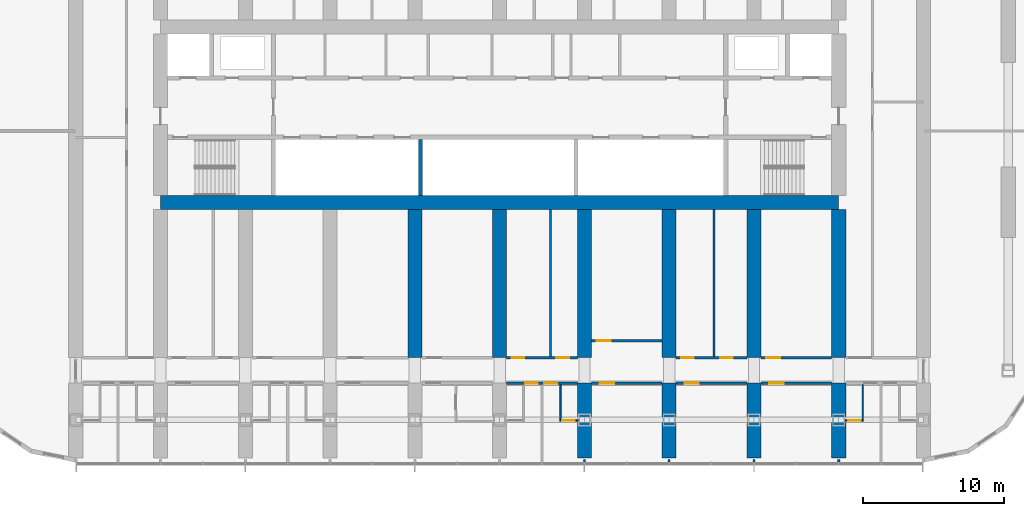
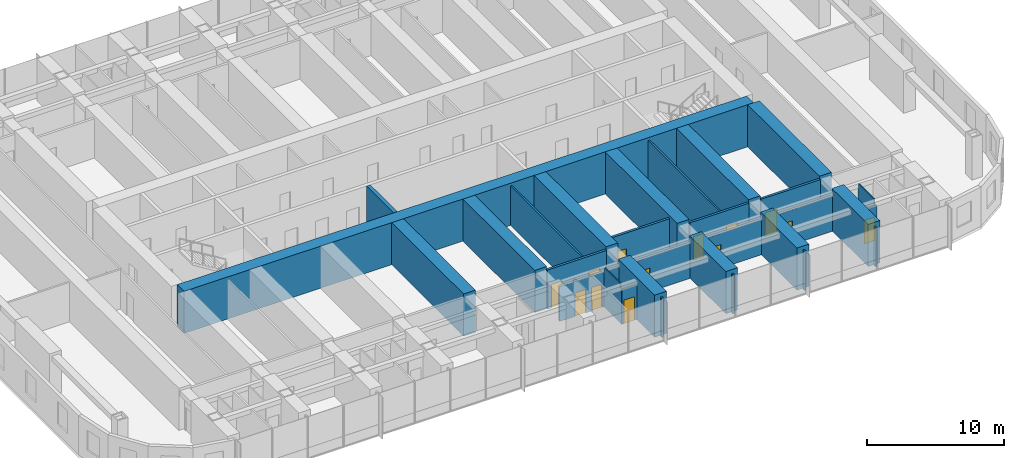
# One storey, part 12 of 23: 30 walls, 13 doors, 13 openings.
"""IFC4 building model written with IfcOpenShell, lengths in metres."""

from ifc_helpers import new_model, si_unit, direction, frame, frame_2d, origin, place, context, subcontext, project, spatial, polyline, rectangle, outline, extrude, material, layer, layer_set, type_object, element, fill, save


model = new_model("IFC4")

# Units and contexts
model_context = context("Model", 3, precision=1e-05, world=origin(), true_north=direction((0.0, 1.0)))
body_context = subcontext(model_context, "Body", "Model", "MODEL_VIEW")
ifc_project = project(units=[si_unit("LENGTHUNIT", "METRE"), si_unit("AREAUNIT", "SQUARE_METRE"), si_unit("VOLUMEUNIT", "CUBIC_METRE"), si_unit("PLANEANGLEUNIT", "RADIAN"), si_unit("MASSUNIT", "GRAM", prefix="KILO")], contexts=[model_context])

# Site, building, storey
site_placement = place(None, origin())
site = spatial("IfcSite", under=ifc_project, at=site_placement, CompositionType="ELEMENT")
building_placement = place(site_placement, origin())
building = spatial("IfcBuilding", under=site, at=building_placement, Name="Orbita Commons", CompositionType="ELEMENT")
storey_placement = place(building_placement, frame((0.0, 0.0, 61.449951171875)))
storey = spatial("IfcBuildingStorey", under=building, at=storey_placement, Name="L15", CompositionType="ELEMENT", Elevation=61.449951171875)

# Walls
ifc_material_1 = material(Name="Concrete C50/60", Category="concrete")
ifc_layer_1 = layer(ifc_material_1, 0.300048828125)
ifc_layer_set_1 = layer_set([ifc_layer_1], Name="Concrete C50/60")
wall_type_1 = type_object("IfcWallType", Name="Core inner wall 300 C50/60", PredefinedType="SHEAR", material=ifc_layer_set_1)
wall_1_placement = place(storey_placement, frame((36.39990234375, 26.300048828125, 0.0), z_axis=(0.0, 0.0, 1.0), x_axis=(0.0, 1.0, 0.0)))
element("IfcWall", 1, at=wall_1_placement, inside=storey, type_object=wall_type_1, Name="Hoistway division wall L15", PredefinedType="SHEAR", context=body_context, shape_type="SweptSolid", body=[
    extrude(rectangle(XDim=3.949951171875, YDim=0.300048828125, at=frame_2d((1.97509765625, 0.0))), origin(), (0.0, 0.0, 1.0), 3.75),
])
ifc_material_2 = material(Name="Concrete C50/60", Category="concrete")
ifc_layer_2 = layer(ifc_material_2, 1.0)
ifc_layer_set_2 = layer_set([ifc_layer_2], Name="Concrete C50/60")
wall_type_2 = type_object("IfcWallType", Name="Core wall 1000 C50/60", PredefinedType="SHEAR", material=ifc_layer_set_2)
wall_2_placement = place(storey_placement, frame((18.0, 25.800048828125, 0.0), z_axis=(0.0, 0.0, 1.0), x_axis=(1.0, 0.0, 0.0)))
element("IfcWall", 2, at=wall_2_placement, inside=storey, type_object=wall_type_2, Name="Core spine wall south L15", PredefinedType="SHEAR", context=body_context, shape_type="SweptSolid", body=[
    extrude(rectangle(XDim=48.0, YDim=1.0, at=frame_2d((24.0, 0.0))), origin(), (0.0, 0.0, 1.0), 3.75),
])

# Wall, openings, doors
ifc_material_3 = material(Name="Concrete blockwork", Category="masonry")
ifc_layer_3 = layer(ifc_material_3, 0.199951171875)
ifc_layer_set_3 = layer_set([ifc_layer_3], Name="Concrete blockwork")
wall_type_3 = type_object("IfcWallType", Name="Corridor wall 200 blockwork", PredefinedType="SOLIDWALL", material=ifc_layer_set_3)
wall_3_placement = place(storey_placement, frame((42.5, 13.0, 0.0), z_axis=(0.0, 0.0, 1.0), x_axis=(1.0, 0.0, 0.0)))
wall_3 = element("IfcWall", 3, at=wall_3_placement, inside=storey, type_object=wall_type_3, Name="Corridor wall 200 blockwork L15", PredefinedType="SOLIDWALL", context=body_context, shape_type="SweptSolid", body=[
    extrude(outline(polyline([(0.0, 0.0), (5.0, 0.0), (5.0, 3.10009765625), (0.0, 3.10009765625), (0.0, 0.0)])), frame((0.0, 0.10009765625, 0.0), z_axis=(0.0, -1.0, 0.0), x_axis=(1.0, 0.0, 0.0)), (0.0, 0.0, 1.0), 0.199951171875),
])
opening_1_placement = place(wall_3_placement, frame((1.300048828125, 0.0, 0.0)))
opening_1 = element("IfcOpeningElement", 4, at=opening_1_placement, cuts=wall_3, Name="Opening D11", PredefinedType="OPENING", context=body_context, shape_type="SweptSolid", body=[
    extrude(rectangle(XDim=0.89990234375, YDim=2.10009765625, at=frame_2d((0.449951171875, 1.050048828125))), frame((0.0, 0.10986328125, 0.0), z_axis=(0.0, -1.0, 0.0), x_axis=(1.0, 0.0, 0.0)), (0.0, 0.0, 1.0), 0.219970703125),
])
opening_2_placement = place(wall_3_placement, frame((2.675048828125, 0.0, 0.0)))
opening_2 = element("IfcOpeningElement", 5, at=opening_2_placement, cuts=wall_3, Name="Opening D11", PredefinedType="OPENING", context=body_context, shape_type="SweptSolid", body=[
    extrude(rectangle(XDim=0.89990234375, YDim=2.10009765625, at=frame_2d((0.449951171875, 1.050048828125))), frame((0.0, 0.10986328125, 0.0), z_axis=(0.0, -1.0, 0.0), x_axis=(1.0, 0.0, 0.0)), (0.0, 0.0, 1.0), 0.219970703125),
])
ifc_material_4 = material(Name="Steel-faced fire door leaf", Category="steel")
door_type_1 = type_object("IfcDoorType", Name="Corridor door 20 min 900x2100", OperationType="SINGLE_SWING_LEFT", PredefinedType="DOOR", material=ifc_material_4)
door_1_placement = place(opening_1_placement, origin())
door_1 = element("IfcDoor", 6, at=door_1_placement, inside=storey, type_object=door_type_1, Name="House bedroom L15-S10 door", OperationType="SINGLE_SWING_LEFT", OverallHeight=2.10009765625, OverallWidth=0.89990234375, PredefinedType="DOOR", context=body_context, shape_type="SweptSolid", body=[
    extrude(rectangle(XDim=0.89990234375, YDim=2.10009765625, at=frame_2d((0.449951171875, 1.050048828125))), frame((0.0, 0.02490234375, 0.0), z_axis=(0.0, -1.0, 0.0), x_axis=(1.0, 0.0, 0.0)), (0.0, 0.0, 1.0), 0.050048828125),
])
fill(opening_1, door_1)
door_2_placement = place(opening_2_placement, origin())
door_2 = element("IfcDoor", 7, at=door_2_placement, inside=storey, type_object=door_type_1, Name="House bedroom L15-S11 door", OperationType="SINGLE_SWING_LEFT", OverallHeight=2.10009765625, OverallWidth=0.89990234375, PredefinedType="DOOR", context=body_context, shape_type="SweptSolid", body=[
    extrude(rectangle(XDim=0.89990234375, YDim=2.10009765625, at=frame_2d((0.449951171875, 1.050048828125))), frame((0.0, 0.02490234375, 0.0), z_axis=(0.0, -1.0, 0.0), x_axis=(1.0, 0.0, 0.0)), (0.0, 0.0, 1.0), 0.050048828125),
])
fill(opening_2, door_2)

# Wall, opening, door
wall_4_placement = place(storey_placement, frame((48.5, 13.0, 0.0), z_axis=(0.0, 0.0, 1.0), x_axis=(1.0, 0.0, 0.0)))
wall_4 = element("IfcWall", 8, at=wall_4_placement, inside=storey, type_object=wall_type_3, Name="Corridor wall 200 blockwork L15", PredefinedType="SOLIDWALL", context=body_context, shape_type="SweptSolid", body=[
    extrude(outline(polyline([(0.0, 0.0), (5.0, 0.0), (5.0, 3.10009765625), (0.0, 3.10009765625), (0.0, 0.0)])), frame((0.0, 0.10009765625, 0.0), z_axis=(0.0, -1.0, 0.0), x_axis=(1.0, 0.0, 0.0)), (0.0, 0.0, 1.0), 0.199951171875),
])
opening_3_placement = place(wall_4_placement, frame((0.60009765625, 0.0, 0.0)))
opening_3 = element("IfcOpeningElement", 9, at=opening_3_placement, cuts=wall_4, Name="Opening D06", PredefinedType="OPENING", context=body_context, shape_type="SweptSolid", body=[
    extrude(rectangle(XDim=1.0, YDim=2.10009765625, at=frame_2d((0.5, 1.050048828125))), frame((0.0, 0.10986328125, 0.0), z_axis=(0.0, -1.0, 0.0), x_axis=(1.0, 0.0, 0.0)), (0.0, 0.0, 1.0), 0.219970703125),
])
ifc_material_5 = material(Name="Steel-faced fire door leaf", Category="steel")
door_type_2 = type_object("IfcDoorType", Name="Corridor door 20 min 1000x2100", OperationType="SINGLE_SWING_LEFT", PredefinedType="DOOR", material=ifc_material_5)
door_3_placement = place(opening_3_placement, origin())
door_3 = element("IfcDoor", 10, at=door_3_placement, inside=storey, type_object=door_type_2, Name="House common room L15-S12 door", OperationType="SINGLE_SWING_LEFT", OverallHeight=2.10009765625, OverallWidth=1.0, PredefinedType="DOOR", context=body_context, shape_type="SweptSolid", body=[
    extrude(rectangle(XDim=1.0, YDim=2.10009765625, at=frame_2d((0.5, 1.050048828125))), frame((0.0, 0.02490234375, 0.0), z_axis=(0.0, -1.0, 0.0), x_axis=(1.0, 0.0, 0.0)), (0.0, 0.0, 1.0), 0.050048828125),
])
fill(opening_3, door_3)

wall_5_placement = place(storey_placement, frame((54.5, 13.0, 0.0), z_axis=(0.0, 0.0, 1.0), x_axis=(1.0, 0.0, 0.0)))
wall_5 = element("IfcWall", 11, at=wall_5_placement, inside=storey, type_object=wall_type_3, Name="Corridor wall 200 blockwork L15", PredefinedType="SOLIDWALL", context=body_context, shape_type="SweptSolid", body=[
    extrude(outline(polyline([(0.0, 0.0), (5.0, 0.0), (5.0, 3.10009765625), (0.0, 3.10009765625), (0.0, 0.0)])), frame((0.0, 0.10009765625, 0.0), z_axis=(0.0, -1.0, 0.0), x_axis=(1.0, 0.0, 0.0)), (0.0, 0.0, 1.0), 0.199951171875),
])
opening_4_placement = place(wall_5_placement, frame((0.60009765625, 0.0, 0.0)))
opening_4 = element("IfcOpeningElement", 12, at=opening_4_placement, cuts=wall_5, Name="Opening D06", PredefinedType="OPENING", context=body_context, shape_type="SweptSolid", body=[
    extrude(rectangle(XDim=1.0, YDim=2.10009765625, at=frame_2d((0.5, 1.050048828125))), frame((0.0, 0.10986328125, 0.0), z_axis=(0.0, -1.0, 0.0), x_axis=(1.0, 0.0, 0.0)), (0.0, 0.0, 1.0), 0.219970703125),
])
door_4_placement = place(opening_4_placement, origin())
door_4 = element("IfcDoor", 13, at=door_4_placement, inside=storey, type_object=door_type_2, Name="House kitchen-diner L15-S14 door", OperationType="SINGLE_SWING_LEFT", OverallHeight=2.10009765625, OverallWidth=1.0, PredefinedType="DOOR", context=body_context, shape_type="SweptSolid", body=[
    extrude(rectangle(XDim=1.0, YDim=2.10009765625, at=frame_2d((0.5, 1.050048828125))), frame((0.0, 0.02490234375, 0.0), z_axis=(0.0, -1.0, 0.0), x_axis=(1.0, 0.0, 0.0)), (0.0, 0.0, 1.0), 0.050048828125),
])
fill(opening_4, door_4)

wall_6_placement = place(storey_placement, frame((60.5, 13.0, 0.0), z_axis=(0.0, 0.0, 1.0), x_axis=(1.0, 0.0, 0.0)))
wall_6 = element("IfcWall", 14, at=wall_6_placement, inside=storey, type_object=wall_type_3, Name="Corridor wall 200 blockwork L15", PredefinedType="SOLIDWALL", context=body_context, shape_type="SweptSolid", body=[
    extrude(outline(polyline([(0.0, 0.0), (5.0, 0.0), (5.0, 3.10009765625), (0.0, 3.10009765625), (0.0, 0.0)])), frame((0.0, 0.10009765625, 0.0), z_axis=(0.0, -1.0, 0.0), x_axis=(1.0, 0.0, 0.0)), (0.0, 0.0, 1.0), 0.199951171875),
])
opening_5_placement = place(wall_6_placement, frame((0.60009765625, 0.0, 0.0)))
opening_5 = element("IfcOpeningElement", 15, at=opening_5_placement, cuts=wall_6, Name="Opening D06", PredefinedType="OPENING", context=body_context, shape_type="SweptSolid", body=[
    extrude(rectangle(XDim=1.0, YDim=2.10009765625, at=frame_2d((0.5, 1.050048828125))), frame((0.0, 0.10986328125, 0.0), z_axis=(0.0, -1.0, 0.0), x_axis=(1.0, 0.0, 0.0)), (0.0, 0.0, 1.0), 0.219970703125),
])
door_5_placement = place(opening_5_placement, origin())
door_5 = element("IfcDoor", 16, at=door_5_placement, inside=storey, type_object=door_type_2, Name="House common room L15-S16 door", OperationType="SINGLE_SWING_LEFT", OverallHeight=2.10009765625, OverallWidth=1.0, PredefinedType="DOOR", context=body_context, shape_type="SweptSolid", body=[
    extrude(rectangle(XDim=1.0, YDim=2.10009765625, at=frame_2d((0.5, 1.050048828125))), frame((0.0, 0.02490234375, 0.0), z_axis=(0.0, -1.0, 0.0), x_axis=(1.0, 0.0, 0.0)), (0.0, 0.0, 1.0), 0.050048828125),
])
fill(opening_5, door_5)

# Wall, openings, doors
ifc_material_6 = material(Name="Hollow concrete block 200", Category="concrete")
ifc_layer_4 = layer(ifc_material_6, 0.199951171875)
ifc_layer_set_4 = layer_set([ifc_layer_4], Name="Hollow concrete block 200")
wall_type_4 = type_object("IfcWallType", Name="Corridor wall 200 hollow concrete block", PredefinedType="SOLIDWALL", material=ifc_layer_set_4)
wall_7_placement = place(storey_placement, frame((42.5, 14.800048828125, 0.0), z_axis=(0.0, 0.0, 1.0), x_axis=(1.0, 0.0, 0.0)))
wall_7 = element("IfcWall", 17, at=wall_7_placement, inside=storey, type_object=wall_type_4, Name="Corridor wall 200 hollow concrete block L15", PredefinedType="SOLIDWALL", context=body_context, shape_type="SweptSolid", body=[
    extrude(rectangle(XDim=5.0, YDim=0.199951171875, at=frame_2d((2.5, 0.0))), origin(), (0.0, 0.0, 1.0), 3.5),
])
opening_6_placement = place(wall_7_placement, frame((0.35009765625, 0.0, 0.0)))
opening_6 = element("IfcOpeningElement", 18, at=opening_6_placement, cuts=wall_7, Name="Opening D11", PredefinedType="OPENING", context=body_context, shape_type="SweptSolid", body=[
    extrude(rectangle(XDim=0.89990234375, YDim=2.10009765625, at=frame_2d((0.449951171875, 1.050048828125))), frame((0.0, 0.10986328125, 0.0), z_axis=(0.0, -1.0, 0.0), x_axis=(1.0, 0.0, 0.0)), (0.0, 0.0, 1.0), 0.219970703125),
])
opening_7_placement = place(wall_7_placement, frame((3.52001953125, 0.0, 0.0)))
opening_7 = element("IfcOpeningElement", 19, at=opening_7_placement, cuts=wall_7, Name="Opening D11", PredefinedType="OPENING", context=body_context, shape_type="SweptSolid", body=[
    extrude(rectangle(XDim=0.89990234375, YDim=2.10009765625, at=frame_2d((0.449951171875, 1.050048828125))), frame((0.0, 0.10986328125, 0.0), z_axis=(0.0, -1.0, 0.0), x_axis=(1.0, 0.0, 0.0)), (0.0, 0.0, 1.0), 0.219970703125),
])
door_6_placement = place(opening_6_placement, origin())
door_6 = element("IfcDoor", 20, at=door_6_placement, inside=storey, type_object=door_type_1, Name="Bicycle repair workshop L15-BDS42 door", OperationType="SINGLE_SWING_LEFT", OverallHeight=2.10009765625, OverallWidth=0.89990234375, PredefinedType="DOOR", context=body_context, shape_type="SweptSolid", body=[
    extrude(rectangle(XDim=0.89990234375, YDim=2.10009765625, at=frame_2d((0.449951171875, 1.050048828125))), frame((0.0, 0.02490234375, 0.0), z_axis=(0.0, -1.0, 0.0), x_axis=(1.0, 0.0, 0.0)), (0.0, 0.0, 1.0), 0.050048828125),
])
fill(opening_6, door_6)
door_7_placement = place(opening_7_placement, origin())
door_7 = element("IfcDoor", 21, at=door_7_placement, inside=storey, type_object=door_type_1, Name="Battery and UPS room L15-BDS42n door", OperationType="SINGLE_SWING_LEFT", OverallHeight=2.10009765625, OverallWidth=0.89990234375, PredefinedType="DOOR", context=body_context, shape_type="SweptSolid", body=[
    extrude(rectangle(XDim=0.89990234375, YDim=2.10009765625, at=frame_2d((0.449951171875, 1.050048828125))), frame((0.0, 0.02490234375, 0.0), z_axis=(0.0, -1.0, 0.0), x_axis=(1.0, 0.0, 0.0)), (0.0, 0.0, 1.0), 0.050048828125),
])
fill(opening_7, door_7)

wall_8_placement = place(storey_placement, frame((54.5, 14.800048828125, 0.0), z_axis=(0.0, 0.0, 1.0), x_axis=(1.0, 0.0, 0.0)))
wall_8 = element("IfcWall", 22, at=wall_8_placement, inside=storey, type_object=wall_type_4, Name="Corridor wall 200 hollow concrete block L15", PredefinedType="SOLIDWALL", context=body_context, shape_type="SweptSolid", body=[
    extrude(rectangle(XDim=5.0, YDim=0.199951171875, at=frame_2d((2.5, 0.0))), origin(), (0.0, 0.0, 1.0), 3.5),
])
opening_8_placement = place(wall_8_placement, frame((0.35009765625, 0.0, 0.0)))
opening_8 = element("IfcOpeningElement", 23, at=opening_8_placement, cuts=wall_8, Name="Opening D11", PredefinedType="OPENING", context=body_context, shape_type="SweptSolid", body=[
    extrude(rectangle(XDim=0.89990234375, YDim=2.10009765625, at=frame_2d((0.449951171875, 1.050048828125))), frame((0.0, 0.10986328125, 0.0), z_axis=(0.0, -1.0, 0.0), x_axis=(1.0, 0.0, 0.0)), (0.0, 0.0, 1.0), 0.219970703125),
])
opening_9_placement = place(wall_8_placement, frame((3.110107421875, 0.0, 0.0)))
opening_9 = element("IfcOpeningElement", 24, at=opening_9_placement, cuts=wall_8, Name="Opening D11", PredefinedType="OPENING", context=body_context, shape_type="SweptSolid", body=[
    extrude(rectangle(XDim=0.89990234375, YDim=2.10009765625, at=frame_2d((0.449951171875, 1.050048828125))), frame((0.0, 0.10986328125, 0.0), z_axis=(0.0, -1.0, 0.0), x_axis=(1.0, 0.0, 0.0)), (0.0, 0.0, 1.0), 0.219970703125),
])
door_8_placement = place(opening_8_placement, origin())
door_8 = element("IfcDoor", 25, at=door_8_placement, inside=storey, type_object=door_type_1, Name="IT and print room L15-BDS54 door", OperationType="SINGLE_SWING_LEFT", OverallHeight=2.10009765625, OverallWidth=0.89990234375, PredefinedType="DOOR", context=body_context, shape_type="SweptSolid", body=[
    extrude(rectangle(XDim=0.89990234375, YDim=2.10009765625, at=frame_2d((0.449951171875, 1.050048828125))), frame((0.0, 0.02490234375, 0.0), z_axis=(0.0, -1.0, 0.0), x_axis=(1.0, 0.0, 0.0)), (0.0, 0.0, 1.0), 0.050048828125),
])
fill(opening_8, door_8)
door_9_placement = place(opening_9_placement, origin())
door_9 = element("IfcDoor", 26, at=door_9_placement, inside=storey, type_object=door_type_1, Name="Water heater cupboard L15-BDS54n door", OperationType="SINGLE_SWING_LEFT", OverallHeight=2.10009765625, OverallWidth=0.89990234375, PredefinedType="DOOR", context=body_context, shape_type="SweptSolid", body=[
    extrude(rectangle(XDim=0.89990234375, YDim=2.10009765625, at=frame_2d((0.449951171875, 1.050048828125))), frame((0.0, 0.02490234375, 0.0), z_axis=(0.0, -1.0, 0.0), x_axis=(1.0, 0.0, 0.0)), (0.0, 0.0, 1.0), 0.050048828125),
])
fill(opening_9, door_9)

# Wall, opening, door
wall_9_placement = place(storey_placement, frame((60.5, 14.800048828125, 0.0), z_axis=(0.0, 0.0, 1.0), x_axis=(1.0, 0.0, 0.0)))
wall_9 = element("IfcWall", 27, at=wall_9_placement, inside=storey, type_object=wall_type_4, Name="Corridor wall 200 hollow concrete block L15", PredefinedType="SOLIDWALL", context=body_context, shape_type="SweptSolid", body=[
    extrude(rectangle(XDim=5.0, YDim=0.199951171875, at=frame_2d((2.5, 0.0))), origin(), (0.0, 0.0, 1.0), 3.5),
])
opening_10_placement = place(wall_9_placement, frame((0.375, 0.0, 0.0)))
opening_10 = element("IfcOpeningElement", 28, at=opening_10_placement, cuts=wall_9, Name="Opening D06", PredefinedType="OPENING", context=body_context, shape_type="SweptSolid", body=[
    extrude(rectangle(XDim=1.0, YDim=2.10009765625, at=frame_2d((0.5, 1.050048828125))), frame((0.0, 0.10986328125, 0.0), z_axis=(0.0, -1.0, 0.0), x_axis=(1.0, 0.0, 0.0)), (0.0, 0.0, 1.0), 0.219970703125),
])
door_10_placement = place(opening_10_placement, origin())
door_10 = element("IfcDoor", 29, at=door_10_placement, inside=storey, type_object=door_type_2, Name="Cleaners store L15-BDS60 door", OperationType="SINGLE_SWING_LEFT", OverallHeight=2.10009765625, OverallWidth=1.0, PredefinedType="DOOR", context=body_context, shape_type="SweptSolid", body=[
    extrude(rectangle(XDim=1.0, YDim=2.10009765625, at=frame_2d((0.5, 1.050048828125))), frame((0.0, 0.02490234375, 0.0), z_axis=(0.0, -1.0, 0.0), x_axis=(1.0, 0.0, 0.0)), (0.0, 0.0, 1.0), 0.050048828125),
])
fill(opening_10, door_10)

wall_10_placement = place(storey_placement, frame((48.5, 16.0, 0.0), z_axis=(0.0, 0.0, 1.0), x_axis=(1.0, 0.0, 0.0)))
wall_10 = element("IfcWall", 30, at=wall_10_placement, inside=storey, type_object=wall_type_4, Name="Corridor wall 200 hollow concrete block L15", PredefinedType="SOLIDWALL", context=body_context, shape_type="SweptSolid", body=[
    extrude(rectangle(XDim=5.0, YDim=0.199951171875, at=frame_2d((2.5, 0.0))), origin(), (0.0, 0.0, 1.0), 3.5),
])
opening_11_placement = place(wall_10_placement, frame((0.375, 0.0, 0.0)))
opening_11 = element("IfcOpeningElement", 31, at=opening_11_placement, cuts=wall_10, Name="Opening D06", PredefinedType="OPENING", context=body_context, shape_type="SweptSolid", body=[
    extrude(rectangle(XDim=1.0, YDim=2.10009765625, at=frame_2d((0.5, 1.050048828125))), frame((0.0, 0.10986328125, 0.0), z_axis=(0.0, -1.0, 0.0), x_axis=(1.0, 0.0, 0.0)), (0.0, 0.0, 1.0), 0.219970703125),
])
door_11_placement = place(opening_11_placement, origin())
door_11 = element("IfcDoor", 32, at=door_11_placement, inside=storey, type_object=door_type_2, Name="Quiet room L15-BDS48 door", OperationType="SINGLE_SWING_LEFT", OverallHeight=2.10009765625, OverallWidth=1.0, PredefinedType="DOOR", context=body_context, shape_type="SweptSolid", body=[
    extrude(rectangle(XDim=1.0, YDim=2.10009765625, at=frame_2d((0.5, 1.050048828125))), frame((0.0, 0.02490234375, 0.0), z_axis=(0.0, -1.0, 0.0), x_axis=(1.0, 0.0, 0.0)), (0.0, 0.0, 1.0), 0.050048828125),
])
fill(opening_11, door_11)

# Walls
ifc_material_7 = material(Name="Concrete C50/60", Category="concrete")
ifc_layer_5 = layer(ifc_material_7, 1.0)
ifc_layer_set_5 = layer_set([ifc_layer_5], Name="Concrete C50/60")
wall_type_5 = type_object("IfcWallType", Name="Cross wall 1000 C50/60", PredefinedType="SHEAR", material=ifc_layer_set_5)
for number, where, z_axis, x_axis, name in (
    (33, (36.0, 14.800048828125, 0.0), (0.0, 0.0, 1.0), (0.0, 1.0, 0.0), "Cross wall 7 south inner L15"),
    (34, (42.0, 14.800048828125, 0.0), (0.0, 0.0, 1.0), (0.0, 1.0, 0.0), "Cross wall 8 south inner L15"),
):
    element("IfcWall", number, at=place(storey_placement, frame(where, z_axis=z_axis, x_axis=x_axis)), inside=storey, type_object=wall_type_5, Name=name, PredefinedType="SHEAR", context=body_context, shape_type="SweptSolid", body=[
        extrude(rectangle(XDim=10.5, YDim=1.0, at=frame_2d((5.25, 0.0))), origin(), (0.0, 0.0, 1.0), 3.75),
    ])
wall_11_placement = place(storey_placement, frame((48.0, 7.699951171875, 0.0), z_axis=(0.0, 0.0, 1.0), x_axis=(0.0, 1.0, 0.0)))
element("IfcWall", 35, at=wall_11_placement, inside=storey, type_object=wall_type_5, Name="Cross wall 9 south outer L15", PredefinedType="SHEAR", context=body_context, shape_type="SweptSolid", body=[
    extrude(rectangle(XDim=5.300048828125, YDim=1.0, at=frame_2d((2.64990234375, 0.0))), origin(), (0.0, 0.0, 1.0), 3.75),
])
wall_12_placement = place(storey_placement, frame((48.0, 14.800048828125, 0.0), z_axis=(0.0, 0.0, 1.0), x_axis=(0.0, 1.0, 0.0)))
element("IfcWall", 36, at=wall_12_placement, inside=storey, type_object=wall_type_5, Name="Cross wall 9 south inner L15", PredefinedType="SHEAR", context=body_context, shape_type="SweptSolid", body=[
    extrude(rectangle(XDim=10.5, YDim=1.0, at=frame_2d((5.25, 0.0))), origin(), (0.0, 0.0, 1.0), 3.75),
])
wall_13_placement = place(storey_placement, frame((54.0, 7.699951171875, 0.0), z_axis=(0.0, 0.0, 1.0), x_axis=(0.0, 1.0, 0.0)))
element("IfcWall", 37, at=wall_13_placement, inside=storey, type_object=wall_type_5, Name="Cross wall 10 south outer L15", PredefinedType="SHEAR", context=body_context, shape_type="SweptSolid", body=[
    extrude(rectangle(XDim=5.300048828125, YDim=1.0, at=frame_2d((2.64990234375, 0.0))), origin(), (0.0, 0.0, 1.0), 3.75),
])
wall_14_placement = place(storey_placement, frame((54.0, 14.800048828125, 0.0), z_axis=(0.0, 0.0, 1.0), x_axis=(0.0, 1.0, 0.0)))
element("IfcWall", 38, at=wall_14_placement, inside=storey, type_object=wall_type_5, Name="Cross wall 10 south inner L15", PredefinedType="SHEAR", context=body_context, shape_type="SweptSolid", body=[
    extrude(rectangle(XDim=10.5, YDim=1.0, at=frame_2d((5.25, 0.0))), origin(), (0.0, 0.0, 1.0), 3.75),
])
wall_15_placement = place(storey_placement, frame((60.0, 7.699951171875, 0.0), z_axis=(0.0, 0.0, 1.0), x_axis=(0.0, 1.0, 0.0)))
element("IfcWall", 39, at=wall_15_placement, inside=storey, type_object=wall_type_5, Name="Cross wall 11 south outer L15", PredefinedType="SHEAR", context=body_context, shape_type="SweptSolid", body=[
    extrude(rectangle(XDim=5.300048828125, YDim=1.0, at=frame_2d((2.64990234375, 0.0))), origin(), (0.0, 0.0, 1.0), 3.75),
])
wall_16_placement = place(storey_placement, frame((60.0, 14.800048828125, 0.0), z_axis=(0.0, 0.0, 1.0), x_axis=(0.0, 1.0, 0.0)))
element("IfcWall", 40, at=wall_16_placement, inside=storey, type_object=wall_type_5, Name="Cross wall 11 south inner L15", PredefinedType="SHEAR", context=body_context, shape_type="SweptSolid", body=[
    extrude(rectangle(XDim=10.5, YDim=1.0, at=frame_2d((5.25, 0.0))), origin(), (0.0, 0.0, 1.0), 3.75),
])
wall_17_placement = place(storey_placement, frame((66.0, 7.699951171875, 0.0), z_axis=(0.0, 0.0, 1.0), x_axis=(0.0, 1.0, 0.0)))
element("IfcWall", 41, at=wall_17_placement, inside=storey, type_object=wall_type_5, Name="Cross wall 12 south outer L15", PredefinedType="SHEAR", context=body_context, shape_type="SweptSolid", body=[
    extrude(rectangle(XDim=5.300048828125, YDim=1.0, at=frame_2d((2.64990234375, 0.0))), origin(), (0.0, 0.0, 1.0), 3.75),
])
wall_18_placement = place(storey_placement, frame((66.0, 14.800048828125, 0.0), z_axis=(0.0, 0.0, 1.0), x_axis=(0.0, 1.0, 0.0)))
element("IfcWall", 42, at=wall_18_placement, inside=storey, type_object=wall_type_5, Name="Cross wall 12 south inner L15", PredefinedType="SHEAR", context=body_context, shape_type="SweptSolid", body=[
    extrude(rectangle(XDim=10.5, YDim=1.0, at=frame_2d((5.25, 0.0))), origin(), (0.0, 0.0, 1.0), 3.75),
])

# Wall, opening, door
ifc_material_8 = material(Name="Moisture-resistant plasterboard on steel studs", Category="steel")
ifc_layer_6 = layer(ifc_material_8, 0.10009765625)
ifc_layer_set_6 = layer_set([ifc_layer_6], Name="Moisture-resistant plasterboard on steel studs")
wall_type_6 = type_object("IfcWallType", Name="En-suite partition 100", PredefinedType="PARTITIONING", material=ifc_layer_set_6)
wall_19_placement = place(storey_placement, frame((47.550048828125, 10.3583984375, 0.0), z_axis=(0.0, 0.0, 1.0), x_axis=(-1.0, 0.0, 0.0)))
wall_19 = element("IfcWall", 43, at=wall_19_placement, inside=storey, type_object=wall_type_6, Name="En-suite partition 100 L15", PredefinedType="PARTITIONING", context=body_context, shape_type="SweptSolid", body=[
    extrude(outline(polyline([(0.0, 0.0), (1.300048828125, 0.0), (1.300048828125, 3.10009765625), (0.0, 3.10009765625), (0.0, 0.0)])), frame((0.0, 0.050048828125, 0.0), z_axis=(0.0, -1.0, 0.0), x_axis=(1.0, 0.0, 0.0)), (0.0, 0.0, 1.0), 0.10009765625),
])
opening_12_placement = place(wall_19_placement, frame((0.22509765625, 0.0, 0.0)))
opening_12 = element("IfcOpeningElement", 44, at=opening_12_placement, cuts=wall_19, Name="Opening D09", PredefinedType="OPENING", context=body_context, shape_type="SweptSolid", body=[
    extrude(rectangle(XDim=0.89990234375, YDim=2.10009765625, at=frame_2d((0.449951171875, 1.050048828125))), frame((0.0, 0.06005859375, 0.0), z_axis=(0.0, -1.0, 0.0), x_axis=(1.0, 0.0, 0.0)), (0.0, 0.0, 1.0), 0.1201171875),
])
ifc_material_9 = material(Name="Laminated timber door leaf", Category="wood")
door_type_3 = type_object("IfcDoorType", Name="En-suite door 900x2100", OperationType="SINGLE_SWING_RIGHT", PredefinedType="DOOR", material=ifc_material_9)
door_12_placement = place(opening_12_placement, origin())
door_12 = element("IfcDoor", 45, at=door_12_placement, inside=storey, type_object=door_type_3, Name="En-suite L15-S11 door", OperationType="SINGLE_SWING_RIGHT", OverallHeight=2.10009765625, OverallWidth=0.89990234375, PredefinedType="DOOR", context=body_context, shape_type="SweptSolid", body=[
    extrude(rectangle(XDim=0.89990234375, YDim=2.10009765625, at=frame_2d((0.449951171875, 1.050048828125))), frame((0.0, 0.02490234375, 0.0), z_axis=(0.0, -1.0, 0.0), x_axis=(1.0, 0.0, 0.0)), (0.0, 0.0, 1.0), 0.050048828125),
])
fill(opening_12, door_12)

# Wall
wall_20_placement = place(storey_placement, frame((46.300048828125, 10.408203125, 0.0), z_axis=(0.0, 0.0, 1.0), x_axis=(0.0, 1.0, 0.0)))
element("IfcWall", 46, at=wall_20_placement, inside=storey, type_object=wall_type_6, Name="En-suite partition 100 L15", PredefinedType="PARTITIONING", context=body_context, shape_type="SweptSolid", body=[
    extrude(outline(polyline([(0.0, 0.0), (2.49169921875, 0.0), (2.49169921875, 3.10009765625), (2.443603515625, 3.10009765625), (2.441650390625, 3.5), (0.193603515625, 3.5), (0.191650390625, 3.10009765625), (0.0, 3.10009765625), (0.0, 0.0)])), frame((0.0, 0.050048828125, 0.0), z_axis=(0.0, -1.0, 0.0), x_axis=(1.0, 0.0, 0.0)), (0.0, 0.0, 1.0), 0.10009765625),
])

# Wall, opening, door
wall_21_placement = place(storey_placement, frame((67.75, 10.3583984375, 0.0), z_axis=(0.0, 0.0, 1.0), x_axis=(-1.0, 0.0, 0.0)))
wall_21 = element("IfcWall", 47, at=wall_21_placement, inside=storey, type_object=wall_type_6, Name="En-suite partition 100 L15", PredefinedType="PARTITIONING", context=body_context, shape_type="SweptSolid", body=[
    extrude(outline(polyline([(0.0, 0.0), (1.300048828125, 0.0), (1.300048828125, 3.10009765625), (0.0, 3.10009765625), (0.0, 0.0)])), frame((0.0, 0.050048828125, 0.0), z_axis=(0.0, -1.0, 0.0), x_axis=(1.0, 0.0, 0.0)), (0.0, 0.0, 1.0), 0.10009765625),
])
opening_13_placement = place(wall_21_placement, frame((0.175048828125, 0.0, 0.0)))
opening_13 = element("IfcOpeningElement", 48, at=opening_13_placement, cuts=wall_21, Name="Opening D09", PredefinedType="OPENING", context=body_context, shape_type="SweptSolid", body=[
    extrude(rectangle(XDim=0.89990234375, YDim=2.10009765625, at=frame_2d((0.449951171875, 1.050048828125))), frame((0.0, 0.06005859375, 0.0), z_axis=(0.0, -1.0, 0.0), x_axis=(1.0, 0.0, 0.0)), (0.0, 0.0, 1.0), 0.1201171875),
])
door_13_placement = place(opening_13_placement, origin())
door_13 = element("IfcDoor", 49, at=door_13_placement, inside=storey, type_object=door_type_3, Name="En-suite L15-S18 door", OperationType="SINGLE_SWING_RIGHT", OverallHeight=2.10009765625, OverallWidth=0.89990234375, PredefinedType="DOOR", context=body_context, shape_type="SweptSolid", body=[
    extrude(rectangle(XDim=0.89990234375, YDim=2.10009765625, at=frame_2d((0.449951171875, 1.050048828125))), frame((0.0, 0.02490234375, 0.0), z_axis=(0.0, -1.0, 0.0), x_axis=(1.0, 0.0, 0.0)), (0.0, 0.0, 1.0), 0.050048828125),
])
fill(opening_13, door_13)

# Walls
wall_22_placement = place(storey_placement, frame((67.699951171875, 10.408203125, 0.0), z_axis=(0.0, 0.0, 1.0), x_axis=(0.0, 1.0, 0.0)))
element("IfcWall", 50, at=wall_22_placement, inside=storey, type_object=wall_type_6, Name="En-suite partition 100 L15", PredefinedType="PARTITIONING", context=body_context, shape_type="SweptSolid", body=[
    extrude(outline(polyline([(0.0, 0.0), (2.49169921875, 0.0), (2.49169921875, 3.10009765625), (2.443603515625, 3.10009765625), (2.441650390625, 3.5), (0.193603515625, 3.5), (0.191650390625, 3.10009765625), (0.0, 3.10009765625), (0.0, 0.0)])), frame((0.0, 0.050048828125, 0.0), z_axis=(0.0, -1.0, 0.0), x_axis=(1.0, 0.0, 0.0)), (0.0, 0.0, 1.0), 0.10009765625),
])
ifc_material_10 = material(Name="Gypsum plasterboard on steel studs", Category="steel")
ifc_layer_7 = layer(ifc_material_10, 0.14990234375)
ifc_layer_set_7 = layer_set([ifc_layer_7], Name="Gypsum plasterboard on steel studs")
wall_type_7 = type_object("IfcWallType", Name="Partition 150 plasterboard", PredefinedType="PARTITIONING", material=ifc_layer_set_7)
for number, where, z_axis, x_axis, name in (
    (51, (45.594970703125, 14.89990234375, 0.0), (0.0, 0.0, 1.0), (0.0, 1.0, 0.0), "Partition 150 plasterboard L15"),
    (52, (57.18505859375, 14.89990234375, 0.0), (0.0, 0.0, 1.0), (0.0, 1.0, 0.0), "Partition 150 plasterboard L15"),
):
    element("IfcWall", number, at=place(storey_placement, frame(where, z_axis=z_axis, x_axis=x_axis)), inside=storey, type_object=wall_type_7, Name=name, PredefinedType="PARTITIONING", context=body_context, shape_type="SweptSolid", body=[
        extrude(rectangle(XDim=10.400146484375, YDim=0.14990234375, at=frame_2d((5.2001953125, 0.0))), origin(), (0.0, 0.0, 1.0), 3.5),
    ])
for number, where, z_axis, x_axis, name in (
    (53, (48.0, 7.60009765625, 0.0), (0.0, 0.0, 1.0), (0.0, -1.0, 0.0), "Partition 150 plasterboard L15"),
    (54, (54.0, 7.60009765625, 0.0), (0.0, 0.0, 1.0), (0.0, -1.0, 0.0), "Partition 150 plasterboard L15"),
    (55, (60.0, 7.60009765625, 0.0), (0.0, 0.0, 1.0), (0.0, -1.0, 0.0), "Partition 150 plasterboard L15"),
    (56, (66.0, 7.60009765625, 0.0), (0.0, 0.0, 1.0), (0.0, -1.0, 0.0), "Partition 150 plasterboard L15"),
):
    element("IfcWall", number, at=place(storey_placement, frame(where, z_axis=z_axis, x_axis=x_axis)), inside=storey, type_object=wall_type_7, Name=name, PredefinedType="PARTITIONING", context=body_context, shape_type="SweptSolid", body=[
        extrude(rectangle(XDim=0.190185546875, YDim=0.14990234375, at=frame_2d((0.09521484375, 0.0))), origin(), (0.0, 0.0, 1.0), 3.5),
    ])

save(model, "model.ifc")
